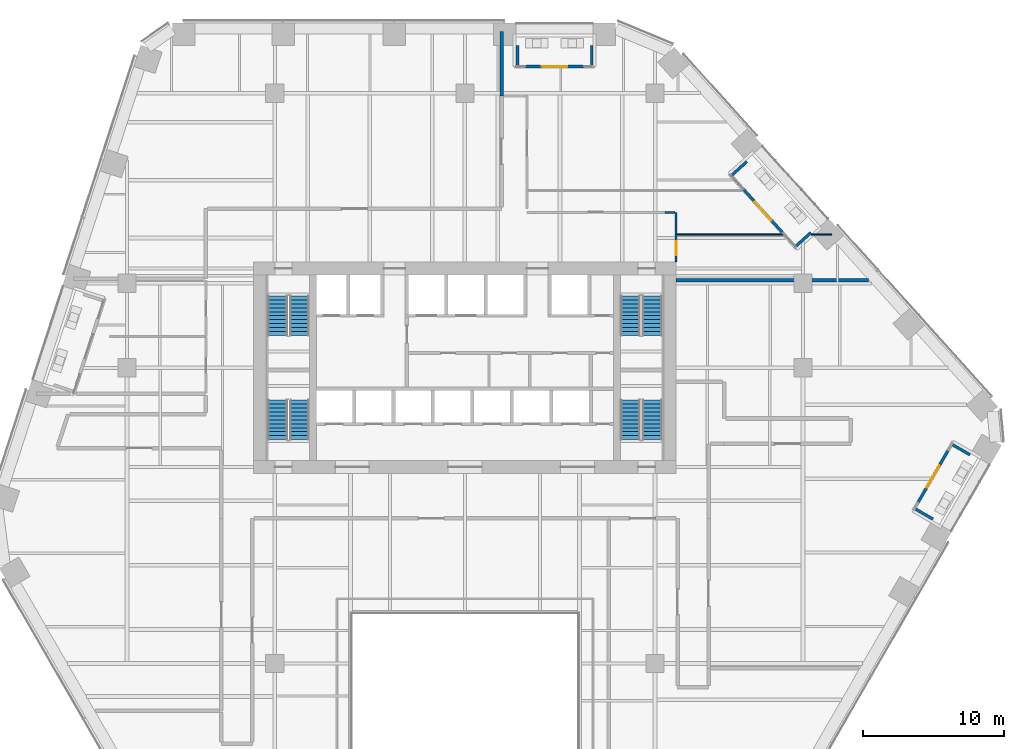
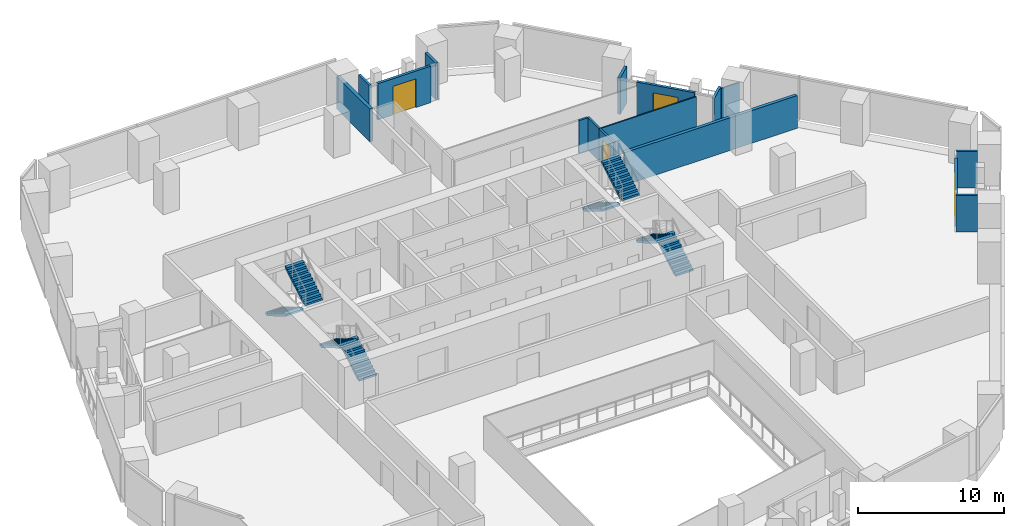
# One storey, part 23 of 28: 16 walls, 8 stair flights, 4 doors, 4 openings, 4 elements without a shape of their own.
"""IFC4 building model written with IfcOpenShell, lengths in metres."""

from ifc_helpers import new_model, si_unit, direction, frame, frame_2d, origin, place, context, subcontext, project, spatial, polyline, rectangle, outline, extrude, material, layer, layer_set, type_object, element, fill, aggregate, save


model = new_model("IFC4")

# Units and contexts
model_context = context("Model", 3, precision=1e-05, world=origin(), true_north=direction((0.0, 1.0)))
body_context = subcontext(model_context, "Body", "Model", "MODEL_VIEW")
ifc_project = project(units=[si_unit("LENGTHUNIT", "METRE"), si_unit("AREAUNIT", "SQUARE_METRE"), si_unit("VOLUMEUNIT", "CUBIC_METRE"), si_unit("PLANEANGLEUNIT", "RADIAN"), si_unit("MASSUNIT", "GRAM", prefix="KILO")], contexts=[model_context])

# Site, building, storey
site_placement = place(None, origin())
site = spatial("IfcSite", under=ifc_project, at=site_placement, CompositionType="ELEMENT")
building_placement = place(site_placement, origin())
building = spatial("IfcBuilding", under=site, at=building_placement, Name="Isthmus Gate Tower", CompositionType="ELEMENT")
storey_placement = place(building_placement, frame((0.0, 0.0, 84.300048828125)))
storey = spatial("IfcBuildingStorey", under=building, at=storey_placement, Name="L19", CompositionType="ELEMENT", Elevation=84.300048828125)

# Walls
ifc_material_1 = material(Name="Double-leaf acoustic stud wall, fire-rated", Category="gypsum")
ifc_layer_1 = layer(ifc_material_1, 0.25)
ifc_layer_set_1 = layer_set([ifc_layer_1], Name="ACOUSTIC WALL 250 60 MIN")
wall_type_1 = type_object("IfcWallType", Name="ACOUSTIC WALL 250 60 MIN", PredefinedType="PARTITIONING", material=ifc_layer_set_1)
wall_1_placement = place(storey_placement, frame((2.597900390625, 26.800048828125, 0.0), z_axis=(0.0, 0.0, 1.0), x_axis=(0.0, 1.0, 0.0)))
element("IfcWall", 1, at=wall_1_placement, inside=storey, type_object=wall_type_1, Name="L19 Acoustic Wall 250 60 Min", PredefinedType="PARTITIONING", context=body_context, shape_type="SweptSolid", body=[
    extrude(rectangle(XDim=4.599853515625, YDim=0.25, at=frame_2d((2.2998046875, 0.0))), origin(), (0.0, 0.0, 1.0), 2.7412109375),
])
wall_2_placement = place(storey_placement, frame((15.0, 13.708984375, 0.0), z_axis=(0.0, 0.0, 1.0), x_axis=(1.0, 0.0, 0.0)))
element("IfcWall", 2, at=wall_2_placement, inside=storey, type_object=wall_type_1, Name="L19 Acoustic Wall 250 60 Min", PredefinedType="PARTITIONING", context=body_context, shape_type="SweptSolid", body=[
    extrude(rectangle(XDim=13.66796875, YDim=0.25, at=frame_2d((6.833984375, 0.0))), origin(), (0.0, 0.0, 1.0), 2.7412109375),
])
ifc_material_2 = material(Name="Gypsum board on steel studs, fire-rated", Category="steel")
ifc_layer_2 = layer(ifc_material_2, 0.14990234375)
ifc_layer_set_2 = layer_set([ifc_layer_2], Name="CORRIDOR WALL 150 60 MIN")
wall_type_2 = type_object("IfcWallType", Name="CORRIDOR WALL 150 60 MIN", PredefinedType="PARTITIONING", material=ifc_layer_set_2)
wall_3_placement = place(storey_placement, frame((15.0, 18.5400390625, 0.0), z_axis=(0.0, 0.0, 1.0), x_axis=(0.0, -1.0, 0.0)))
element("IfcWall", 3, at=wall_3_placement, inside=storey, type_object=wall_type_2, Name="L19 Corridor Wall 150 60 Min", PredefinedType="PARTITIONING", context=body_context, shape_type="SweptSolid", body=[
    extrude(rectangle(XDim=1.572998046875, YDim=0.14990234375, at=frame_2d((0.78662109375, 0.0))), origin(), (0.0, 0.0, 1.0), 2.7412109375),
])

# Wall, opening, door
wall_4_placement = place(storey_placement, frame((15.0, 16.967041015625, 0.0), z_axis=(0.0, 0.0, 1.0), x_axis=(0.0, -1.0, 0.0)))
wall_4 = element("IfcWall", 4, at=wall_4_placement, inside=storey, type_object=wall_type_2, Name="L19 Corridor Wall 150 60 Min", PredefinedType="PARTITIONING", context=body_context, shape_type="SweptSolid", body=[
    extrude(rectangle(XDim=1.967041015625, YDim=0.14990234375, at=frame_2d((0.9833984375, 0.0))), origin(), (0.0, 0.0, 1.0), 2.7412109375),
])
opening_1_placement = place(wall_4_placement, frame((0.4833984375, 0.0, 0.0)))
opening_1 = element("IfcOpeningElement", 5, at=opening_1_placement, cuts=wall_4, Name="Opening DT-T2A-05", PredefinedType="OPENING", context=body_context, shape_type="SweptSolid", body=[
    extrude(rectangle(XDim=1.0, YDim=2.10009765625, at=frame_2d((0.5, 1.050048828125))), frame((0.0, 0.0849609375, 0.0), z_axis=(0.0, -1.0, 0.0), x_axis=(1.0, 0.0, 0.0)), (0.0, 0.0, 1.0), 0.169921875),
])
ifc_material_3 = material(Name="Solid core timber door leaf, fire-rated", Category="wood")
door_type_1 = type_object("IfcDoorType", Name="FIRE DOOR ROOM 1000 X 2100 60 MIN", OperationType="SINGLE_SWING_LEFT", PredefinedType="DOOR", material=ifc_material_3)
door_1_placement = place(opening_1_placement, origin())
door_1 = element("IfcDoor", 6, at=door_1_placement, inside=storey, type_object=door_type_1, Name="L19 room door", OperationType="SINGLE_SWING_RIGHT", OverallHeight=2.10009765625, OverallWidth=1.0, PredefinedType="DOOR", context=body_context, shape_type="SweptSolid", body=[
    extrude(rectangle(XDim=1.0, YDim=2.10009765625, at=frame_2d((0.5, 1.050048828125))), frame((0.0, 0.02490234375, 0.0), z_axis=(0.0, -1.0, 0.0), x_axis=(1.0, 0.0, 0.0)), (0.0, 0.0, 1.0), 0.050048828125),
])
fill(opening_1, door_1)

# Wall
wall_5_placement = place(storey_placement, frame((14.199951171875, 18.5400390625, 0.0), z_axis=(0.0, 0.0, 1.0), x_axis=(1.0, 0.0, 0.0)))
element("IfcWall", 7, at=wall_5_placement, inside=storey, type_object=wall_type_2, Name="L19 Corridor Wall 150 60 Min", PredefinedType="PARTITIONING", context=body_context, shape_type="SweptSolid", body=[
    extrude(rectangle(XDim=0.72509765625, YDim=0.14990234375, at=frame_2d((0.362548828125, 0.0))), origin(), (0.0, 0.0, 1.0), 2.7412109375),
])

# Wall, opening, door
ifc_material_4 = material(Name="Precast concrete C40/50", Category="concrete")
ifc_layer_3 = layer(ifc_material_4, 0.199951171875)
ifc_layer_set_3 = layer_set([ifc_layer_3], Name="LOGGIA WALL 200")
wall_type_3 = type_object("IfcWallType", Name="LOGGIA WALL 200", PredefinedType="SOLIDWALL", material=ifc_layer_set_3)
wall_6_placement = place(storey_placement, frame((8.467041015625, 28.89990234375, 0.0), z_axis=(0.0, 0.0, 1.0), x_axis=(-1.0, 0.0, 0.0)))
wall_6 = element("IfcWall", 8, at=wall_6_placement, inside=storey, type_object=wall_type_3, Name="LOGGIA BACK WALL", PredefinedType="SOLIDWALL", context=body_context, shape_type="SweptSolid", body=[
    extrude(rectangle(XDim=4.199951171875, YDim=0.199951171875, at=frame_2d((2.10009765625, 0.0))), origin(), (0.0, 0.0, 1.0), 3.049072265625),
])
opening_2_placement = place(wall_6_placement, frame((1.199951171875, 0.0, 0.0)))
opening_2 = element("IfcOpeningElement", 9, at=opening_2_placement, cuts=wall_6, Name="Opening DE19-01", PredefinedType="OPENING", context=body_context, shape_type="SweptSolid", body=[
    extrude(rectangle(XDim=1.800048828125, YDim=2.39990234375, at=frame_2d((0.89990234375, 1.199951171875))), frame((0.0, 0.10986328125, 0.0), z_axis=(0.0, -1.0, 0.0), x_axis=(1.0, 0.0, 0.0)), (0.0, 0.0, 1.0), 0.219970703125),
])
ifc_material_5 = material(Name="Aluminium, pale champagne anodised, laminated glass", Category="aluminium")
door_type_2 = type_object("IfcDoorType", Name="LOGGIA DOOR SLIDING 1800 X 2400", OperationType="DOUBLE_DOOR_SLIDING", PredefinedType="DOOR", material=ifc_material_5)
door_2_placement = place(opening_2_placement, origin())
door_2 = element("IfcDoor", 10, at=door_2_placement, inside=storey, type_object=door_type_2, Name="DOOR DE19-01", OperationType="SINGLE_SWING_LEFT", OverallHeight=2.39990234375, OverallWidth=1.800048828125, PredefinedType="DOOR", context=body_context, shape_type="SweptSolid", body=[
    extrude(rectangle(XDim=1.800048828125, YDim=2.39990234375, at=frame_2d((0.89990234375, 1.199951171875))), frame((0.0, 0.02490234375, 0.0), z_axis=(0.0, -1.0, 0.0), x_axis=(1.0, 0.0, 0.0)), (0.0, 0.0, 1.0), 0.050048828125),
])
fill(opening_2, door_2)

# Walls
for number, where, z_axis, x_axis, name in (
    (11, (9.001953125, 30.39990234375, 0.0), (0.0, 0.0, 1.0), (0.0, -1.0, 0.0), "LOGGIA SIDE WALL"),
    (12, (3.732421875, 30.39990234375, 0.0), (0.0, 0.0, 1.0), (0.0, -1.0, 0.0), "LOGGIA SIDE WALL"),
):
    element("IfcWall", number, at=place(storey_placement, frame(where, z_axis=z_axis, x_axis=x_axis)), inside=storey, type_object=wall_type_3, Name=name, PredefinedType="SOLIDWALL", context=body_context, shape_type="SweptSolid", body=[
        extrude(rectangle(XDim=1.48388671875, YDim=0.199951171875, at=frame_2d((0.741943359375, 0.0))), origin(), (0.0, 0.0, 1.0), 3.050048828125),
    ])

# Wall, opening, door
wall_7_placement = place(storey_placement, frame((32.198974609375, -2.030029296875, 0.0), z_axis=(0.0, 0.0, 1.0), x_axis=(0.499958946799, 0.866049104564, 0.0)))
wall_7 = element("IfcWall", 13, at=wall_7_placement, inside=storey, type_object=wall_type_3, Name="LOGGIA BACK WALL", PredefinedType="SOLIDWALL", context=body_context, shape_type="SweptSolid", body=[
    extrude(rectangle(XDim=4.199951171875, YDim=0.199951171875, at=frame_2d((2.10009765625, 0.0))), origin(), (0.0, 0.0, 1.0), 2.820556640625),
])
opening_3_placement = place(wall_7_placement, frame((1.199951171875, 0.0, 0.0)))
opening_3 = element("IfcOpeningElement", 14, at=opening_3_placement, cuts=wall_7, Name="Opening DE19-05", PredefinedType="OPENING", context=body_context, shape_type="SweptSolid", body=[
    extrude(rectangle(XDim=1.800048828125, YDim=2.39990234375, at=frame_2d((0.89990234375, 1.199951171875))), frame((0.0, 0.10986328125, 0.0), z_axis=(0.0, -1.0, 0.0), x_axis=(1.0, 0.0, 0.0)), (0.0, 0.0, 1.0), 0.219970703125),
])
door_3_placement = place(opening_3_placement, origin())
door_3 = element("IfcDoor", 15, at=door_3_placement, inside=storey, type_object=door_type_2, Name="DOOR DE19-05", OperationType="SINGLE_SWING_LEFT", OverallHeight=2.39990234375, OverallWidth=1.800048828125, PredefinedType="DOOR", context=body_context, shape_type="SweptSolid", body=[
    extrude(rectangle(XDim=1.800048828125, YDim=2.39990234375, at=frame_2d((0.89990234375, 1.199951171875))), frame((0.0, 0.02490234375, 0.0), z_axis=(0.0, -1.0, 0.0), x_axis=(1.0, 0.0, 0.0)), (0.0, 0.0, 1.0), 0.050048828125),
])
fill(opening_3, door_3)

# Walls
for number, where, z_axis, x_axis, name in (
    (16, (33.23046875, -3.242919921875, 0.0), (0.0, 0.0, 1.0), (-0.866037643702, 0.499978799242, 0.0), "LOGGIA SIDE WALL"),
    (17, (35.865234375, 1.320556640625, 0.0), (0.0, 0.0, 1.0), (-0.866037643702, 0.499978799242, 0.0), "LOGGIA SIDE WALL"),
):
    element("IfcWall", number, at=place(storey_placement, frame(where, z_axis=z_axis, x_axis=x_axis)), inside=storey, type_object=wall_type_3, Name=name, PredefinedType="SOLIDWALL", context=body_context, shape_type="SweptSolid", body=[
        extrude(rectangle(XDim=1.48388671875, YDim=0.199951171875, at=frame_2d((0.741943359375, 0.0))), origin(), (0.0, 0.0, 1.0), 3.050048828125),
    ])

# Wall, opening, door
wall_8_placement = place(storey_placement, frame((22.587646484375, 17.059326171875, 0.0), z_axis=(0.0, 0.0, 1.0), x_axis=(-0.669138140895, 0.743138041282, 0.0)))
wall_8 = element("IfcWall", 18, at=wall_8_placement, inside=storey, type_object=wall_type_3, Name="LOGGIA BACK WALL", PredefinedType="SOLIDWALL", context=body_context, shape_type="SweptSolid", body=[
    extrude(rectangle(XDim=4.199951171875, YDim=0.199951171875, at=frame_2d((2.10009765625, 0.0))), origin(), (0.0, 0.0, 1.0), 3.050048828125),
])
opening_4_placement = place(wall_8_placement, frame((1.199951171875, 0.0, 0.0)))
opening_4 = element("IfcOpeningElement", 19, at=opening_4_placement, cuts=wall_8, Name="Opening DE19-06", PredefinedType="OPENING", context=body_context, shape_type="SweptSolid", body=[
    extrude(rectangle(XDim=1.800048828125, YDim=2.39990234375, at=frame_2d((0.89990234375, 1.199951171875))), frame((0.0, 0.10986328125, 0.0), z_axis=(0.0, -1.0, 0.0), x_axis=(1.0, 0.0, 0.0)), (0.0, 0.0, 1.0), 0.219970703125),
])
door_4_placement = place(opening_4_placement, origin())
door_4 = element("IfcDoor", 20, at=door_4_placement, inside=storey, type_object=door_type_2, Name="DOOR DE19-06", OperationType="SINGLE_SWING_LEFT", OverallHeight=2.39990234375, OverallWidth=1.800048828125, PredefinedType="DOOR", context=body_context, shape_type="SweptSolid", body=[
    extrude(rectangle(XDim=1.800048828125, YDim=2.39990234375, at=frame_2d((0.89990234375, 1.199951171875))), frame((0.0, 0.02490234375, 0.0), z_axis=(0.0, -1.0, 0.0), x_axis=(1.0, 0.0, 0.0)), (0.0, 0.0, 1.0), 0.050048828125),
])
fill(opening_4, door_4)

# Walls
wall_9_placement = place(storey_placement, frame((24.568603515625, 17.100830078125, 0.0), z_axis=(0.0, 0.0, 1.0), x_axis=(-0.743155057383, -0.669119242501, 0.0)))
element("IfcWall", 21, at=wall_9_placement, inside=storey, type_object=wall_type_3, Name="LOGGIA SIDE WALL", PredefinedType="SOLIDWALL", context=body_context, shape_type="SweptSolid", body=[
    extrude(rectangle(XDim=1.48388671875, YDim=0.199951171875, at=frame_2d((0.741943359375, 0.0))), origin(), (0.0, 0.0, 1.0), 2.820556640625),
])
wall_10_placement = place(storey_placement, frame((20.025634765625, 22.146240234375, 0.0), z_axis=(0.0, 0.0, 1.0), x_axis=(-0.743155057383, -0.669119242501, 0.0)))
element("IfcWall", 22, at=wall_10_placement, inside=storey, type_object=wall_type_3, Name="LOGGIA SIDE WALL", PredefinedType="SOLIDWALL", context=body_context, shape_type="SweptSolid", body=[
    extrude(rectangle(XDim=1.48388671875, YDim=0.199951171875, at=frame_2d((0.741943359375, 0.0))), origin(), (0.0, 0.0, 1.0), 3.050048828125),
])
ifc_material_6 = material(Name="Gypsum board on steel studs, fire-rated", Category="steel")
ifc_layer_4 = layer(ifc_material_6, 0.10009765625)
ifc_layer_set_4 = layer_set([ifc_layer_4], Name="ROOM PARTITION 100 30 MIN")
wall_type_4 = type_object("IfcWallType", Name="ROOM PARTITION 100 30 MIN", PredefinedType="PARTITIONING", material=ifc_layer_set_4)
wall_11_placement = place(storey_placement, frame((15.074951171875, 16.967041015625, 0.0), z_axis=(0.0, 0.0, 1.0), x_axis=(1.0, 0.0, 0.0)))
element("IfcWall", 23, at=wall_11_placement, inside=storey, type_object=wall_type_4, Name="L19 Room Partition 100 30 Min", PredefinedType="PARTITIONING", context=body_context, shape_type="SweptSolid", body=[
    extrude(rectangle(XDim=7.544189453125, YDim=0.10009765625, at=frame_2d((3.77197265625, 0.0))), origin(), (0.0, 0.0, 1.0), 2.7412109375),
])
wall_12_placement = place(storey_placement, frame((24.599609375, 16.967041015625, 0.0), z_axis=(0.0, 0.0, 1.0), x_axis=(1.0, 0.0, 0.0)))
element("IfcWall", 24, at=wall_12_placement, inside=storey, type_object=wall_type_4, Name="L19 Room Partition 100 30 Min", PredefinedType="PARTITIONING", context=body_context, shape_type="SweptSolid", body=[
    extrude(rectangle(XDim=1.435302734375, YDim=0.10009765625, at=frame_2d((0.7177734375, 0.0))), origin(), (0.0, 0.0, 1.0), 2.7412109375),
])

# Stair, stair flights
ifc_material_7 = material(Name="Concrete f'c 40 MPa", Category="concrete")
stair_type = type_object("IfcStairType", Name="CORE STAIR 22 RISERS", PredefinedType="HALF_TURN_STAIR", material=ifc_material_7)
stair_1_placement = place(storey_placement, origin())
stair_1 = element("IfcStair", 25, at=stair_1_placement, inside=storey, type_object=stair_type, Name="L19 Exit Stair 1", PredefinedType="HALF_TURN_STAIR")
ifc_material_8 = material(Name="Concrete f'c 40 MPa", Category="concrete")
stair_flight_type = type_object("IfcStairFlightType", Name="STAIR FLIGHT RC 1400", PredefinedType="STRAIGHT", material=ifc_material_8)
stair_flight_1_placement = place(storey_placement, frame((-13.300048828125, 12.60009765625, 0.0), z_axis=(0.0, 0.0, 1.0), x_axis=(0.0, -1.0, 0.0)))
stair_flight_1 = element("IfcStairFlight", 26, at=stair_flight_1_placement, type_object=stair_flight_type, Name="ST1 flight 1", NumberOfRisers=11, NumberOfTreads=10, PredefinedType="STRAIGHT", RiserHeight=0.165909091, TreadLength=0.28, context=body_context, shape_type="SweptSolid", body=[
    extrude(outline(polyline([(0.0, 0.0), (0.0, 0.166015625), (0.280029296875, 0.166015625), (0.280029296875, 0.331787109375), (0.56005859375, 0.331787109375), (0.56005859375, 0.497802734375), (0.840087890625, 0.497802734375), (0.840087890625, 0.66357421875), (1.1201171875, 0.66357421875), (1.1201171875, 0.82958984375), (1.39990234375, 0.82958984375), (1.39990234375, 0.995361328125), (1.679931640625, 0.995361328125), (1.679931640625, 1.161376953125), (1.9599609375, 1.161376953125), (1.9599609375, 1.327392578125), (2.239990234375, 1.327392578125), (2.239990234375, 1.4931640625), (2.52001953125, 1.4931640625), (2.52001953125, 1.6591796875), (2.800048828125, 1.6591796875), (2.800048828125, 1.824951171875), (2.800048828125, 1.48486328125), (0.2939453125, 0.0), (0.0, 0.0)])), frame((0.0, 0.699951171875, 0.0), z_axis=(0.0, -1.0, 0.0), x_axis=(1.0, 0.0, 0.0)), (0.0, 0.0, 1.0), 1.39990234375),
])
stair_flight_2_placement = place(storey_placement, frame((-11.75, 9.800048828125, 1.824951171875), z_axis=(0.0, 0.0, 1.0), x_axis=(0.0, 1.0, 0.0)))
stair_flight_2 = element("IfcStairFlight", 27, at=stair_flight_2_placement, type_object=stair_flight_type, Name="ST1 flight 2", NumberOfRisers=11, NumberOfTreads=10, PredefinedType="STRAIGHT", RiserHeight=0.165909091, TreadLength=0.28, context=body_context, shape_type="SweptSolid", body=[
    extrude(outline(polyline([(0.0, 0.0), (0.0, 0.166015625), (0.280029296875, 0.166015625), (0.280029296875, 0.331787109375), (0.56005859375, 0.331787109375), (0.56005859375, 0.497802734375), (0.840087890625, 0.497802734375), (0.840087890625, 0.66357421875), (1.1201171875, 0.66357421875), (1.1201171875, 0.82958984375), (1.39990234375, 0.82958984375), (1.39990234375, 0.995361328125), (1.679931640625, 0.995361328125), (1.679931640625, 1.161376953125), (1.9599609375, 1.161376953125), (1.9599609375, 1.327392578125), (2.239990234375, 1.327392578125), (2.239990234375, 1.4931640625), (2.52001953125, 1.4931640625), (2.52001953125, 1.6591796875), (2.800048828125, 1.6591796875), (2.800048828125, 1.824951171875), (2.800048828125, 1.48486328125), (0.2939453125, 0.0), (0.0, 0.0)])), frame((0.0, 0.699951171875, 0.0), z_axis=(0.0, -1.0, 0.0), x_axis=(1.0, 0.0, 0.0)), (0.0, 0.0, 1.0), 1.39990234375),
])
aggregate(stair_1, [stair_flight_1, stair_flight_2])

stair_2_placement = place(storey_placement, origin())
stair_2 = element("IfcStair", 28, at=stair_2_placement, inside=storey, type_object=stair_type, Name="L19 Exit Stair 2", PredefinedType="HALF_TURN_STAIR")
stair_flight_3_placement = place(storey_placement, frame((11.75, 12.60009765625, 0.0), z_axis=(0.0, 0.0, 1.0), x_axis=(0.0, -1.0, 0.0)))
stair_flight_3 = element("IfcStairFlight", 29, at=stair_flight_3_placement, type_object=stair_flight_type, Name="ST2 flight 1", NumberOfRisers=11, NumberOfTreads=10, PredefinedType="STRAIGHT", RiserHeight=0.165909091, TreadLength=0.28, context=body_context, shape_type="SweptSolid", body=[
    extrude(outline(polyline([(0.0, 0.0), (0.0, 0.166015625), (0.280029296875, 0.166015625), (0.280029296875, 0.331787109375), (0.56005859375, 0.331787109375), (0.56005859375, 0.497802734375), (0.840087890625, 0.497802734375), (0.840087890625, 0.66357421875), (1.1201171875, 0.66357421875), (1.1201171875, 0.82958984375), (1.39990234375, 0.82958984375), (1.39990234375, 0.995361328125), (1.679931640625, 0.995361328125), (1.679931640625, 1.161376953125), (1.9599609375, 1.161376953125), (1.9599609375, 1.327392578125), (2.239990234375, 1.327392578125), (2.239990234375, 1.4931640625), (2.52001953125, 1.4931640625), (2.52001953125, 1.6591796875), (2.800048828125, 1.6591796875), (2.800048828125, 1.824951171875), (2.800048828125, 1.48486328125), (0.2939453125, 0.0), (0.0, 0.0)])), frame((0.0, 0.699951171875, 0.0), z_axis=(0.0, -1.0, 0.0), x_axis=(1.0, 0.0, 0.0)), (0.0, 0.0, 1.0), 1.39990234375),
])
stair_flight_4_placement = place(storey_placement, frame((13.300048828125, 9.800048828125, 1.824951171875), z_axis=(0.0, 0.0, 1.0), x_axis=(0.0, 1.0, 0.0)))
stair_flight_4 = element("IfcStairFlight", 30, at=stair_flight_4_placement, type_object=stair_flight_type, Name="ST2 flight 2", NumberOfRisers=11, NumberOfTreads=10, PredefinedType="STRAIGHT", RiserHeight=0.165909091, TreadLength=0.28, context=body_context, shape_type="SweptSolid", body=[
    extrude(outline(polyline([(0.0, 0.0), (0.0, 0.166015625), (0.280029296875, 0.166015625), (0.280029296875, 0.331787109375), (0.56005859375, 0.331787109375), (0.56005859375, 0.497802734375), (0.840087890625, 0.497802734375), (0.840087890625, 0.66357421875), (1.1201171875, 0.66357421875), (1.1201171875, 0.82958984375), (1.39990234375, 0.82958984375), (1.39990234375, 0.995361328125), (1.679931640625, 0.995361328125), (1.679931640625, 1.161376953125), (1.9599609375, 1.161376953125), (1.9599609375, 1.327392578125), (2.239990234375, 1.327392578125), (2.239990234375, 1.4931640625), (2.52001953125, 1.4931640625), (2.52001953125, 1.6591796875), (2.800048828125, 1.6591796875), (2.800048828125, 1.824951171875), (2.800048828125, 1.48486328125), (0.2939453125, 0.0), (0.0, 0.0)])), frame((0.0, 0.699951171875, 0.0), z_axis=(0.0, -1.0, 0.0), x_axis=(1.0, 0.0, 0.0)), (0.0, 0.0, 1.0), 1.39990234375),
])
aggregate(stair_2, [stair_flight_3, stair_flight_4])

stair_3_placement = place(storey_placement, origin())
stair_3 = element("IfcStair", 31, at=stair_3_placement, inside=storey, type_object=stair_type, Name="L19 Exit Stair 7", PredefinedType="HALF_TURN_STAIR")
stair_flight_5_placement = place(storey_placement, frame((-11.75, 2.39990234375, 0.0), z_axis=(0.0, 0.0, 1.0), x_axis=(0.0, 1.0, 0.0)))
stair_flight_5 = element("IfcStairFlight", 32, at=stair_flight_5_placement, type_object=stair_flight_type, Name="ST7 flight 1", NumberOfRisers=11, NumberOfTreads=10, PredefinedType="STRAIGHT", RiserHeight=0.165909091, TreadLength=0.28, context=body_context, shape_type="SweptSolid", body=[
    extrude(outline(polyline([(0.0, 0.0), (0.0, 0.166015625), (0.280029296875, 0.166015625), (0.280029296875, 0.331787109375), (0.56005859375, 0.331787109375), (0.56005859375, 0.497802734375), (0.840087890625, 0.497802734375), (0.840087890625, 0.66357421875), (1.1201171875, 0.66357421875), (1.1201171875, 0.82958984375), (1.39990234375, 0.82958984375), (1.39990234375, 0.995361328125), (1.679931640625, 0.995361328125), (1.679931640625, 1.161376953125), (1.9599609375, 1.161376953125), (1.9599609375, 1.327392578125), (2.239990234375, 1.327392578125), (2.239990234375, 1.4931640625), (2.52001953125, 1.4931640625), (2.52001953125, 1.6591796875), (2.800048828125, 1.6591796875), (2.800048828125, 1.824951171875), (2.800048828125, 1.48486328125), (0.2939453125, 0.0), (0.0, 0.0)])), frame((0.0, 0.699951171875, 0.0), z_axis=(0.0, -1.0, 0.0), x_axis=(1.0, 0.0, 0.0)), (0.0, 0.0, 1.0), 1.39990234375),
])
stair_flight_6_placement = place(storey_placement, frame((-13.300048828125, 5.199951171875, 1.824951171875), z_axis=(0.0, 0.0, 1.0), x_axis=(0.0, -1.0, 0.0)))
stair_flight_6 = element("IfcStairFlight", 33, at=stair_flight_6_placement, type_object=stair_flight_type, Name="ST7 flight 2", NumberOfRisers=11, NumberOfTreads=10, PredefinedType="STRAIGHT", RiserHeight=0.165909091, TreadLength=0.28, context=body_context, shape_type="SweptSolid", body=[
    extrude(outline(polyline([(0.0, 0.0), (0.0, 0.166015625), (0.280029296875, 0.166015625), (0.280029296875, 0.331787109375), (0.56005859375, 0.331787109375), (0.56005859375, 0.497802734375), (0.840087890625, 0.497802734375), (0.840087890625, 0.66357421875), (1.1201171875, 0.66357421875), (1.1201171875, 0.82958984375), (1.39990234375, 0.82958984375), (1.39990234375, 0.995361328125), (1.679931640625, 0.995361328125), (1.679931640625, 1.161376953125), (1.9599609375, 1.161376953125), (1.9599609375, 1.327392578125), (2.239990234375, 1.327392578125), (2.239990234375, 1.4931640625), (2.52001953125, 1.4931640625), (2.52001953125, 1.6591796875), (2.800048828125, 1.6591796875), (2.800048828125, 1.824951171875), (2.800048828125, 1.48486328125), (0.2939453125, 0.0), (0.0, 0.0)])), frame((0.0, 0.699951171875, 0.0), z_axis=(0.0, -1.0, 0.0), x_axis=(1.0, 0.0, 0.0)), (0.0, 0.0, 1.0), 1.39990234375),
])
aggregate(stair_3, [stair_flight_5, stair_flight_6])

stair_4_placement = place(storey_placement, origin())
stair_4 = element("IfcStair", 34, at=stair_4_placement, inside=storey, type_object=stair_type, Name="L19 Exit Stair 8", PredefinedType="HALF_TURN_STAIR")
stair_flight_7_placement = place(storey_placement, frame((13.300048828125, 2.39990234375, 0.0), z_axis=(0.0, 0.0, 1.0), x_axis=(0.0, 1.0, 0.0)))
stair_flight_7 = element("IfcStairFlight", 35, at=stair_flight_7_placement, type_object=stair_flight_type, Name="ST8 flight 1", NumberOfRisers=11, NumberOfTreads=10, PredefinedType="STRAIGHT", RiserHeight=0.165909091, TreadLength=0.28, context=body_context, shape_type="SweptSolid", body=[
    extrude(outline(polyline([(0.0, 0.0), (0.0, 0.166015625), (0.280029296875, 0.166015625), (0.280029296875, 0.331787109375), (0.56005859375, 0.331787109375), (0.56005859375, 0.497802734375), (0.840087890625, 0.497802734375), (0.840087890625, 0.66357421875), (1.1201171875, 0.66357421875), (1.1201171875, 0.82958984375), (1.39990234375, 0.82958984375), (1.39990234375, 0.995361328125), (1.679931640625, 0.995361328125), (1.679931640625, 1.161376953125), (1.9599609375, 1.161376953125), (1.9599609375, 1.327392578125), (2.239990234375, 1.327392578125), (2.239990234375, 1.4931640625), (2.52001953125, 1.4931640625), (2.52001953125, 1.6591796875), (2.800048828125, 1.6591796875), (2.800048828125, 1.824951171875), (2.800048828125, 1.48486328125), (0.2939453125, 0.0), (0.0, 0.0)])), frame((0.0, 0.699951171875, 0.0), z_axis=(0.0, -1.0, 0.0), x_axis=(1.0, 0.0, 0.0)), (0.0, 0.0, 1.0), 1.39990234375),
])
stair_flight_8_placement = place(storey_placement, frame((11.75, 5.199951171875, 1.824951171875), z_axis=(0.0, 0.0, 1.0), x_axis=(0.0, -1.0, 0.0)))
stair_flight_8 = element("IfcStairFlight", 36, at=stair_flight_8_placement, type_object=stair_flight_type, Name="ST8 flight 2", NumberOfRisers=11, NumberOfTreads=10, PredefinedType="STRAIGHT", RiserHeight=0.165909091, TreadLength=0.28, context=body_context, shape_type="SweptSolid", body=[
    extrude(outline(polyline([(0.0, 0.0), (0.0, 0.166015625), (0.280029296875, 0.166015625), (0.280029296875, 0.331787109375), (0.56005859375, 0.331787109375), (0.56005859375, 0.497802734375), (0.840087890625, 0.497802734375), (0.840087890625, 0.66357421875), (1.1201171875, 0.66357421875), (1.1201171875, 0.82958984375), (1.39990234375, 0.82958984375), (1.39990234375, 0.995361328125), (1.679931640625, 0.995361328125), (1.679931640625, 1.161376953125), (1.9599609375, 1.161376953125), (1.9599609375, 1.327392578125), (2.239990234375, 1.327392578125), (2.239990234375, 1.4931640625), (2.52001953125, 1.4931640625), (2.52001953125, 1.6591796875), (2.800048828125, 1.6591796875), (2.800048828125, 1.824951171875), (2.800048828125, 1.48486328125), (0.2939453125, 0.0), (0.0, 0.0)])), frame((0.0, 0.699951171875, 0.0), z_axis=(0.0, -1.0, 0.0), x_axis=(1.0, 0.0, 0.0)), (0.0, 0.0, 1.0), 1.39990234375),
])
aggregate(stair_4, [stair_flight_7, stair_flight_8])

save(model, "model.ifc")
